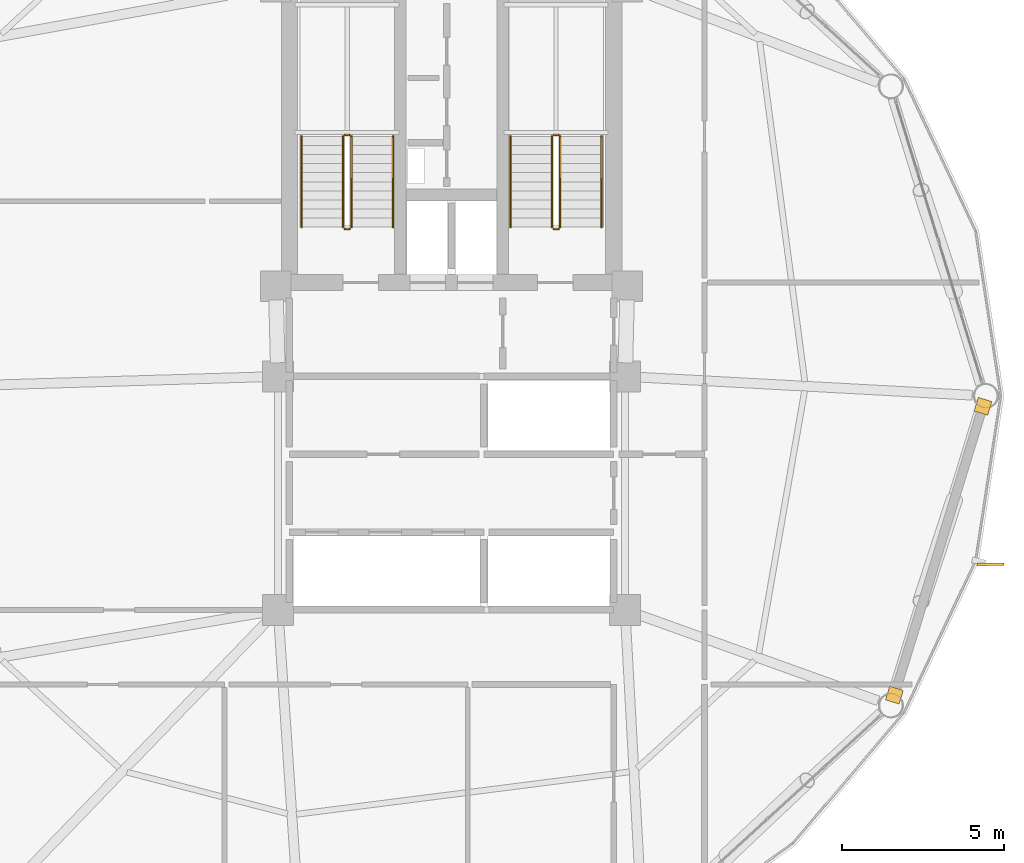
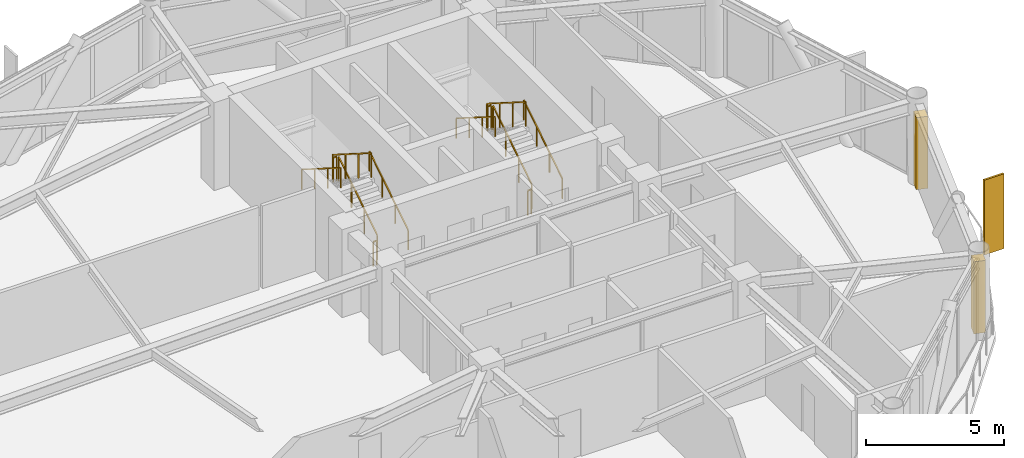
# One storey, part 25 of 26: 12 railings, 2 coverings, 1 shading device.
"""IFC4 building model written with IfcOpenShell, lengths in metres."""

from ifc_helpers import new_model, si_unit, direction, frame, origin, origin_2d, place, context, subcontext, project, spatial, rectangle, extrude, source, transform, mapped, material, layer, layer_set, type_object, type_shapes, element, save


model = new_model("IFC4")

# Units and contexts
model_context = context("Model", 3, precision=1e-05, world=origin(), true_north=direction((0.0, 1.0)))
body_context = subcontext(model_context, "Body", "Model", "MODEL_VIEW")
ifc_project = project(units=[si_unit("LENGTHUNIT", "METRE"), si_unit("AREAUNIT", "SQUARE_METRE"), si_unit("VOLUMEUNIT", "CUBIC_METRE"), si_unit("PLANEANGLEUNIT", "RADIAN"), si_unit("MASSUNIT", "GRAM", prefix="KILO")], contexts=[model_context])

# Site, building, storey
site_placement = place(None, origin())
site = spatial("IfcSite", under=ifc_project, at=site_placement, CompositionType="ELEMENT")
building_placement = place(site_placement, origin())
building = spatial("IfcBuilding", under=site, at=building_placement, Name="Varnakorn Sky Granary", CompositionType="ELEMENT")
storey_placement = place(building_placement, frame((0.0, 0.0, 138.300048828125)))
storey = spatial("IfcBuildingStorey", under=building, at=storey_placement, Name="L34", CompositionType="ELEMENT", Elevation=138.300048828125)

# Railings
ifc_material_1 = material(Name="Brushed Stainless Steel 316", Category="steel")
railing_type_1 = type_object("IfcRailingType", Name="RL-STAIR-1100", PredefinedType="GUARDRAIL", material=ifc_material_1)
railing_1_placement = place(storey_placement, frame((-0.090087890625, 5.199951171875, 0.17724609375)))
element("IfcRailing", 1, at=railing_1_placement, inside=storey, type_object=railing_type_1, Name="L34 ST-1 stair guard 1", PredefinedType="GUARDRAIL", context=body_context, shape_type="SweptSolid", body=[
    extrude(rectangle(XDim=0.048095703125, YDim=0.048095703125, at=origin_2d()), frame((0.0, 0.0, 1.076171875), z_axis=(0.0, 0.844908973607, 0.534910110503), x_axis=(-1.0, 0.0, 0.0)), (0.0, 0.0, 1.0), 3.31396484375),
    extrude(rectangle(XDim=0.0419921875, YDim=0.0419921875, at=origin_2d()), origin(), (0.0, 0.0, 1.0), 1.048095703125),
    extrude(rectangle(XDim=0.0419921875, YDim=0.0419921875, at=origin_2d()), frame((0.0, 0.933349609375, 0.5908203125)), (0.0, 0.0, 1.0), 1.048095703125),
    extrude(rectangle(XDim=0.0419921875, YDim=0.0419921875, at=origin_2d()), frame((0.0, 1.86669921875, 1.181884765625)), (0.0, 0.0, 1.0), 1.048095703125),
    extrude(rectangle(XDim=0.0419921875, YDim=0.0419921875, at=origin_2d()), frame((0.0, 2.800048828125, 1.772705078125)), (0.0, 0.0, 1.0), 1.048095703125),
])
railing_2_placement = place(storey_placement, frame((-0.139892578125, 8.050048828125, 1.949951171875)))
element("IfcRailing", 2, at=railing_2_placement, inside=storey, type_object=railing_type_1, Name="L34 ST-1 stair guard 2", PredefinedType="GUARDRAIL", context=body_context, shape_type="SweptSolid", body=[
    extrude(rectangle(XDim=0.048095703125, YDim=0.048095703125, at=origin_2d()), frame((0.0, 0.0, 1.076171875), z_axis=(-1.0, 0.0, 0.0), x_axis=(0.0, -1.0, 0.0)), (0.0, 0.0, 1.0), 0.150146484375),
    extrude(rectangle(XDim=0.0419921875, YDim=0.0419921875, at=origin_2d()), origin(), (0.0, 0.0, 1.0), 1.048095703125),
    extrude(rectangle(XDim=0.0419921875, YDim=0.0419921875, at=origin_2d()), frame((-0.150146484375, 0.0, 0.0)), (0.0, 0.0, 1.0), 1.048095703125),
])
railing_3_placement = place(storey_placement, frame((-0.340087890625, 8.0, 2.127197265625)))
element("IfcRailing", 3, at=railing_3_placement, inside=storey, type_object=railing_type_1, Name="L34 ST-1 stair guard 3", PredefinedType="GUARDRAIL", context=body_context, shape_type="SweptSolid", body=[
    extrude(rectangle(XDim=0.048095703125, YDim=0.048095703125, at=origin_2d()), frame((0.0, 0.0, 1.076171875), z_axis=(0.0, -0.844908973607, 0.534910110503), x_axis=(1.0, 0.0, 0.0)), (0.0, 0.0, 1.0), 3.31396484375),
    extrude(rectangle(XDim=0.0419921875, YDim=0.0419921875, at=origin_2d()), origin(), (0.0, 0.0, 1.0), 1.048095703125),
    extrude(rectangle(XDim=0.0419921875, YDim=0.0419921875, at=origin_2d()), frame((0.0, -0.933349609375, 0.5908203125)), (0.0, 0.0, 1.0), 1.048095703125),
    extrude(rectangle(XDim=0.0419921875, YDim=0.0419921875, at=origin_2d()), frame((0.0, -1.86669921875, 1.181884765625)), (0.0, 0.0, 1.0), 1.048095703125),
    extrude(rectangle(XDim=0.0419921875, YDim=0.0419921875, at=origin_2d()), frame((0.0, -2.800048828125, 1.772705078125)), (0.0, 0.0, 1.0), 1.048095703125),
])
railing_4_placement = place(storey_placement, frame((-0.139892578125, 5.14990234375, 0.0)))
element("IfcRailing", 4, at=railing_4_placement, inside=storey, type_object=railing_type_1, Name="L34 ST-1 stair guard 4", PredefinedType="GUARDRAIL", context=body_context, shape_type="SweptSolid", body=[
    extrude(rectangle(XDim=0.048095703125, YDim=0.048095703125, at=origin_2d()), frame((0.0, 0.0, 1.076171875), z_axis=(-1.0, 0.0, 0.0), x_axis=(0.0, -1.0, 0.0)), (0.0, 0.0, 1.0), 0.150146484375),
    extrude(rectangle(XDim=0.0419921875, YDim=0.0419921875, at=origin_2d()), origin(), (0.0, 0.0, 1.0), 1.048095703125),
    extrude(rectangle(XDim=0.0419921875, YDim=0.0419921875, at=origin_2d()), frame((-0.150146484375, 0.0, 0.0)), (0.0, 0.0, 1.0), 1.048095703125),
])
railing_5_placement = place(storey_placement, frame((6.35009765625, 5.199951171875, 0.17724609375)))
element("IfcRailing", 5, at=railing_5_placement, inside=storey, type_object=railing_type_1, Name="L34 ST-2 stair guard 1", PredefinedType="GUARDRAIL", context=body_context, shape_type="SweptSolid", body=[
    extrude(rectangle(XDim=0.048095703125, YDim=0.048095703125, at=origin_2d()), frame((0.0, 0.0, 1.076171875), z_axis=(0.0, 0.844908973607, 0.534910110503), x_axis=(-1.0, 0.0, 0.0)), (0.0, 0.0, 1.0), 3.31396484375),
    extrude(rectangle(XDim=0.0419921875, YDim=0.0419921875, at=origin_2d()), origin(), (0.0, 0.0, 1.0), 1.048095703125),
    extrude(rectangle(XDim=0.0419921875, YDim=0.0419921875, at=origin_2d()), frame((0.0, 0.933349609375, 0.5908203125)), (0.0, 0.0, 1.0), 1.048095703125),
    extrude(rectangle(XDim=0.0419921875, YDim=0.0419921875, at=origin_2d()), frame((0.0, 1.86669921875, 1.181884765625)), (0.0, 0.0, 1.0), 1.048095703125),
    extrude(rectangle(XDim=0.0419921875, YDim=0.0419921875, at=origin_2d()), frame((0.0, 2.800048828125, 1.772705078125)), (0.0, 0.0, 1.0), 1.048095703125),
])
railing_6_placement = place(storey_placement, frame((6.300048828125, 8.050048828125, 1.949951171875)))
element("IfcRailing", 6, at=railing_6_placement, inside=storey, type_object=railing_type_1, Name="L34 ST-2 stair guard 2", PredefinedType="GUARDRAIL", context=body_context, shape_type="SweptSolid", body=[
    extrude(rectangle(XDim=0.048095703125, YDim=0.048095703125, at=origin_2d()), frame((0.0, 0.0, 1.076171875), z_axis=(-1.0, 0.0, 0.0), x_axis=(0.0, -1.0, 0.0)), (0.0, 0.0, 1.0), 0.150146484375),
    extrude(rectangle(XDim=0.0419921875, YDim=0.0419921875, at=origin_2d()), origin(), (0.0, 0.0, 1.0), 1.048095703125),
    extrude(rectangle(XDim=0.0419921875, YDim=0.0419921875, at=origin_2d()), frame((-0.150146484375, 0.0, 0.0)), (0.0, 0.0, 1.0), 1.048095703125),
])
railing_7_placement = place(storey_placement, frame((6.10009765625, 8.0, 2.127197265625)))
element("IfcRailing", 7, at=railing_7_placement, inside=storey, type_object=railing_type_1, Name="L34 ST-2 stair guard 3", PredefinedType="GUARDRAIL", context=body_context, shape_type="SweptSolid", body=[
    extrude(rectangle(XDim=0.048095703125, YDim=0.048095703125, at=origin_2d()), frame((0.0, 0.0, 1.076171875), z_axis=(0.0, -0.844908973607, 0.534910110503), x_axis=(1.0, 0.0, 0.0)), (0.0, 0.0, 1.0), 3.31396484375),
    extrude(rectangle(XDim=0.0419921875, YDim=0.0419921875, at=origin_2d()), origin(), (0.0, 0.0, 1.0), 1.048095703125),
    extrude(rectangle(XDim=0.0419921875, YDim=0.0419921875, at=origin_2d()), frame((0.0, -0.933349609375, 0.5908203125)), (0.0, 0.0, 1.0), 1.048095703125),
    extrude(rectangle(XDim=0.0419921875, YDim=0.0419921875, at=origin_2d()), frame((0.0, -1.86669921875, 1.181884765625)), (0.0, 0.0, 1.0), 1.048095703125),
    extrude(rectangle(XDim=0.0419921875, YDim=0.0419921875, at=origin_2d()), frame((0.0, -2.800048828125, 1.772705078125)), (0.0, 0.0, 1.0), 1.048095703125),
])
railing_8_placement = place(storey_placement, frame((6.300048828125, 5.14990234375, 0.0)))
element("IfcRailing", 8, at=railing_8_placement, inside=storey, type_object=railing_type_1, Name="L34 ST-2 stair guard 4", PredefinedType="GUARDRAIL", context=body_context, shape_type="SweptSolid", body=[
    extrude(rectangle(XDim=0.048095703125, YDim=0.048095703125, at=origin_2d()), frame((0.0, 0.0, 1.076171875), z_axis=(-1.0, 0.0, 0.0), x_axis=(0.0, -1.0, 0.0)), (0.0, 0.0, 1.0), 0.150146484375),
    extrude(rectangle(XDim=0.0419921875, YDim=0.0419921875, at=origin_2d()), origin(), (0.0, 0.0, 1.0), 1.048095703125),
    extrude(rectangle(XDim=0.0419921875, YDim=0.0419921875, at=origin_2d()), frame((-0.150146484375, 0.0, 0.0)), (0.0, 0.0, 1.0), 1.048095703125),
])
railing_type_2 = type_object("IfcRailingType", Name="RL-STAIR-920", PredefinedType="HANDRAIL", material=ifc_material_1)
railing_9_placement = place(storey_placement, frame((1.18994140625, 5.199951171875, 0.17724609375)))
element("IfcRailing", 9, at=railing_9_placement, inside=storey, type_object=railing_type_2, Name="L34 ST-1 stair handrail 1", PredefinedType="HANDRAIL", context=body_context, shape_type="SweptSolid", body=[
    extrude(rectangle(XDim=0.048095703125, YDim=0.048095703125, at=origin_2d()), frame((0.0, 0.0, 0.8759765625), z_axis=(0.0, 0.844908973607, 0.534910110503), x_axis=(-1.0, 0.0, 0.0)), (0.0, 0.0, 1.0), 3.31396484375),
    extrude(rectangle(XDim=0.0419921875, YDim=0.0419921875, at=origin_2d()), origin(), (0.0, 0.0, 1.0), 0.847900390625),
    extrude(rectangle(XDim=0.0419921875, YDim=0.0419921875, at=origin_2d()), frame((0.0, 0.933349609375, 0.5908203125)), (0.0, 0.0, 1.0), 0.847900390625),
    extrude(rectangle(XDim=0.0419921875, YDim=0.0419921875, at=origin_2d()), frame((0.0, 1.86669921875, 1.181884765625)), (0.0, 0.0, 1.0), 0.847900390625),
    extrude(rectangle(XDim=0.0419921875, YDim=0.0419921875, at=origin_2d()), frame((0.0, 2.800048828125, 1.772705078125)), (0.0, 0.0, 1.0), 0.847900390625),
])
railing_10_placement = place(storey_placement, frame((-1.6201171875, 8.0, 2.127197265625)))
element("IfcRailing", 10, at=railing_10_placement, inside=storey, type_object=railing_type_2, Name="L34 ST-1 stair handrail 2", PredefinedType="HANDRAIL", context=body_context, shape_type="SweptSolid", body=[
    extrude(rectangle(XDim=0.048095703125, YDim=0.048095703125, at=origin_2d()), frame((0.0, 0.0, 0.8759765625), z_axis=(0.0, -0.844908973607, 0.534910110503), x_axis=(1.0, 0.0, 0.0)), (0.0, 0.0, 1.0), 3.31396484375),
    extrude(rectangle(XDim=0.0419921875, YDim=0.0419921875, at=origin_2d()), origin(), (0.0, 0.0, 1.0), 0.847900390625),
    extrude(rectangle(XDim=0.0419921875, YDim=0.0419921875, at=origin_2d()), frame((0.0, -0.933349609375, 0.5908203125)), (0.0, 0.0, 1.0), 0.847900390625),
    extrude(rectangle(XDim=0.0419921875, YDim=0.0419921875, at=origin_2d()), frame((0.0, -1.86669921875, 1.181884765625)), (0.0, 0.0, 1.0), 0.847900390625),
    extrude(rectangle(XDim=0.0419921875, YDim=0.0419921875, at=origin_2d()), frame((0.0, -2.800048828125, 1.772705078125)), (0.0, 0.0, 1.0), 0.847900390625),
])
railing_11_placement = place(storey_placement, frame((7.6298828125, 5.199951171875, 0.17724609375)))
element("IfcRailing", 11, at=railing_11_placement, inside=storey, type_object=railing_type_2, Name="L34 ST-2 stair handrail 1", PredefinedType="HANDRAIL", context=body_context, shape_type="SweptSolid", body=[
    extrude(rectangle(XDim=0.048095703125, YDim=0.048095703125, at=origin_2d()), frame((0.0, 0.0, 0.8759765625), z_axis=(0.0, 0.844908973607, 0.534910110503), x_axis=(-1.0, 0.0, 0.0)), (0.0, 0.0, 1.0), 3.31396484375),
    extrude(rectangle(XDim=0.0419921875, YDim=0.0419921875, at=origin_2d()), origin(), (0.0, 0.0, 1.0), 0.847900390625),
    extrude(rectangle(XDim=0.0419921875, YDim=0.0419921875, at=origin_2d()), frame((0.0, 0.933349609375, 0.5908203125)), (0.0, 0.0, 1.0), 0.847900390625),
    extrude(rectangle(XDim=0.0419921875, YDim=0.0419921875, at=origin_2d()), frame((0.0, 1.86669921875, 1.181884765625)), (0.0, 0.0, 1.0), 0.847900390625),
    extrude(rectangle(XDim=0.0419921875, YDim=0.0419921875, at=origin_2d()), frame((0.0, 2.800048828125, 1.772705078125)), (0.0, 0.0, 1.0), 0.847900390625),
])
railing_12_placement = place(storey_placement, frame((4.820068359375, 8.0, 2.127197265625)))
element("IfcRailing", 12, at=railing_12_placement, inside=storey, type_object=railing_type_2, Name="L34 ST-2 stair handrail 2", PredefinedType="HANDRAIL", context=body_context, shape_type="SweptSolid", body=[
    extrude(rectangle(XDim=0.048095703125, YDim=0.048095703125, at=origin_2d()), frame((0.0, 0.0, 0.8759765625), z_axis=(0.0, -0.844908973607, 0.534910110503), x_axis=(1.0, 0.0, 0.0)), (0.0, 0.0, 1.0), 3.31396484375),
    extrude(rectangle(XDim=0.0419921875, YDim=0.0419921875, at=origin_2d()), origin(), (0.0, 0.0, 1.0), 0.847900390625),
    extrude(rectangle(XDim=0.0419921875, YDim=0.0419921875, at=origin_2d()), frame((0.0, -0.933349609375, 0.5908203125)), (0.0, 0.0, 1.0), 0.847900390625),
    extrude(rectangle(XDim=0.0419921875, YDim=0.0419921875, at=origin_2d()), frame((0.0, -1.86669921875, 1.181884765625)), (0.0, 0.0, 1.0), 0.847900390625),
    extrude(rectangle(XDim=0.0419921875, YDim=0.0419921875, at=origin_2d()), frame((0.0, -2.800048828125, 1.772705078125)), (0.0, 0.0, 1.0), 0.847900390625),
])

# Shading device
ifc_material_2 = material(Name="Anodised Bronze Aluminium Alloy 6063-T6", Category="aluminium")
shading_device_type = type_object("IfcShadingDeviceType", Name="SH-FIN-02", PredefinedType="USERDEFINED", material=ifc_material_2)
shared_shape_1 = source(origin(), body_context, "Body", "SweptSolid", [
    extrude(rectangle(XDim=0.0849609375, YDim=0.820068359375, at=origin_2d()), origin(), (0.0, 0.0, 1.0), 3.300048828125),
])
type_shapes(shading_device_type, [shared_shape_1])
shading_device_placement = place(storey_placement, frame((19.61572265625, -5.194091796875, -0.0400390625), z_axis=(0.0, 0.0, 1.0), x_axis=(-0.006196233759, 0.999980803159, 0.0)))
element("IfcShadingDevice", 13, at=shading_device_placement, inside=storey, type_object=shading_device_type, Name="Bronze Solar-Tracking Vertical Blade FIN L34-12", ObjectType="FIN", PredefinedType="USERDEFINED", context=body_context, shape_type="MappedRepresentation", body=[
    mapped(shared_shape_1, transform((0.0, 0.0, 0.0), x_axis=(1.0, 0.0, 0.0), y_axis=(0.0, 1.0, 0.0), z_axis=(0.0, 0.0, 1.0), scale=1.0)),
])

# Coverings
ifc_layer = layer(ifc_material_2, 0.050048828125, Name="Anodised Bronze Aluminium Alloy 6063-T6")
ifc_layer_set = layer_set([ifc_layer], Name="Anodised Bronze Aluminium Alloy 6063-T6")
covering_type = type_object("IfcCoveringType", Name="CV-CLAD-50", PredefinedType="CLADDING", material=ifc_layer_set)
shared_shape_2 = source(origin(), body_context, "Body", "SweptSolid", [
    extrude(rectangle(XDim=0.43994140625, YDim=0.43994140625, at=origin_2d()), origin(), (0.0, 0.0, 1.0), 3.179931640625),
])
type_shapes(covering_type, [shared_shape_2])
for number, where, z_axis, x_axis, name in (
    (14, (19.384521484375, -0.3212890625, -0.02001953125), (0.0, 0.0, 1.0), (-0.293206126622, -0.956049249417, 0.0), "Bronze Corner Pilaster Closure L34-P12-A"),
    (15, (16.6533203125, -9.226806640625, -0.02001953125), (0.0, 0.0, 1.0), (-0.293206126622, -0.956049249417, 0.0), "Bronze Corner Pilaster Closure L34-P12-B"),
):
    element("IfcCovering", number, at=place(storey_placement, frame(where, z_axis=z_axis, x_axis=x_axis)), inside=storey, type_object=covering_type, Name=name, PredefinedType="CLADDING", context=body_context, shape_type="MappedRepresentation", body=[
        mapped(shared_shape_2, transform((0.0, 0.0, 0.0), x_axis=(1.0, 0.0, 0.0), y_axis=(0.0, 1.0, 0.0), z_axis=(0.0, 0.0, 1.0), scale=1.0)),
    ])

save(model, "model.ifc")
